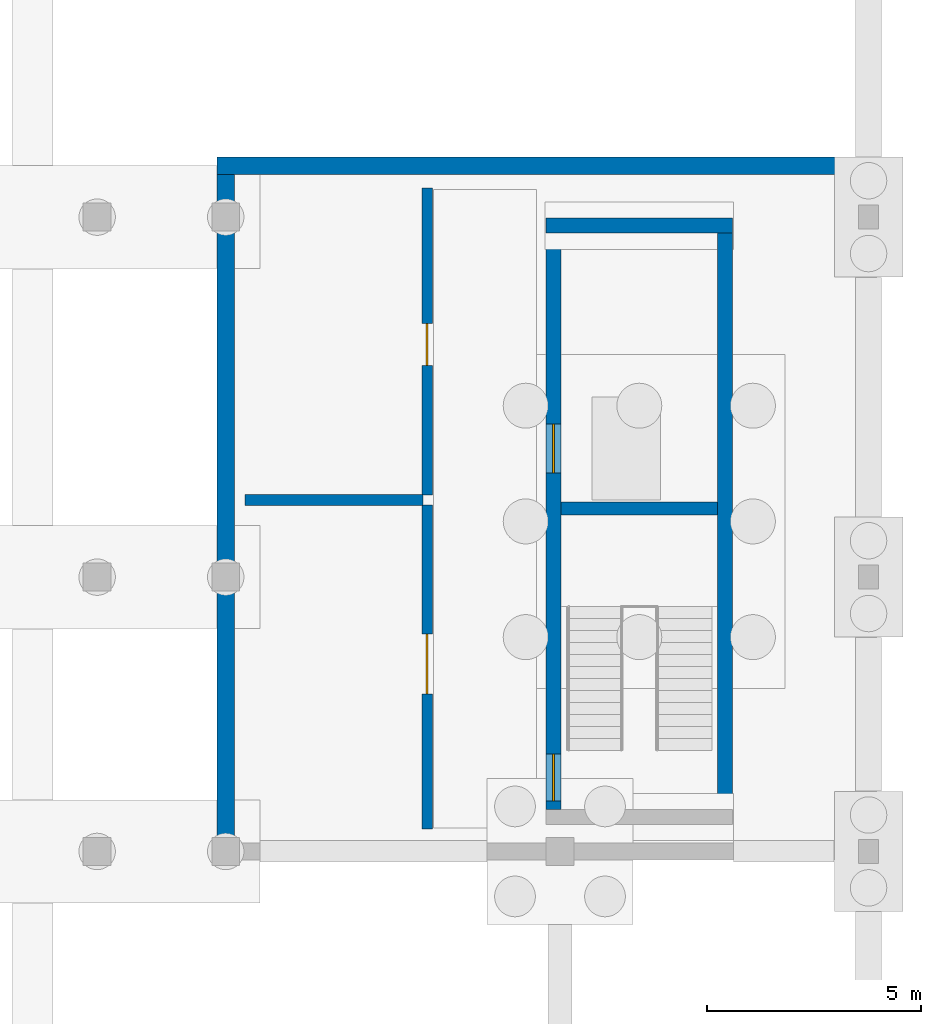
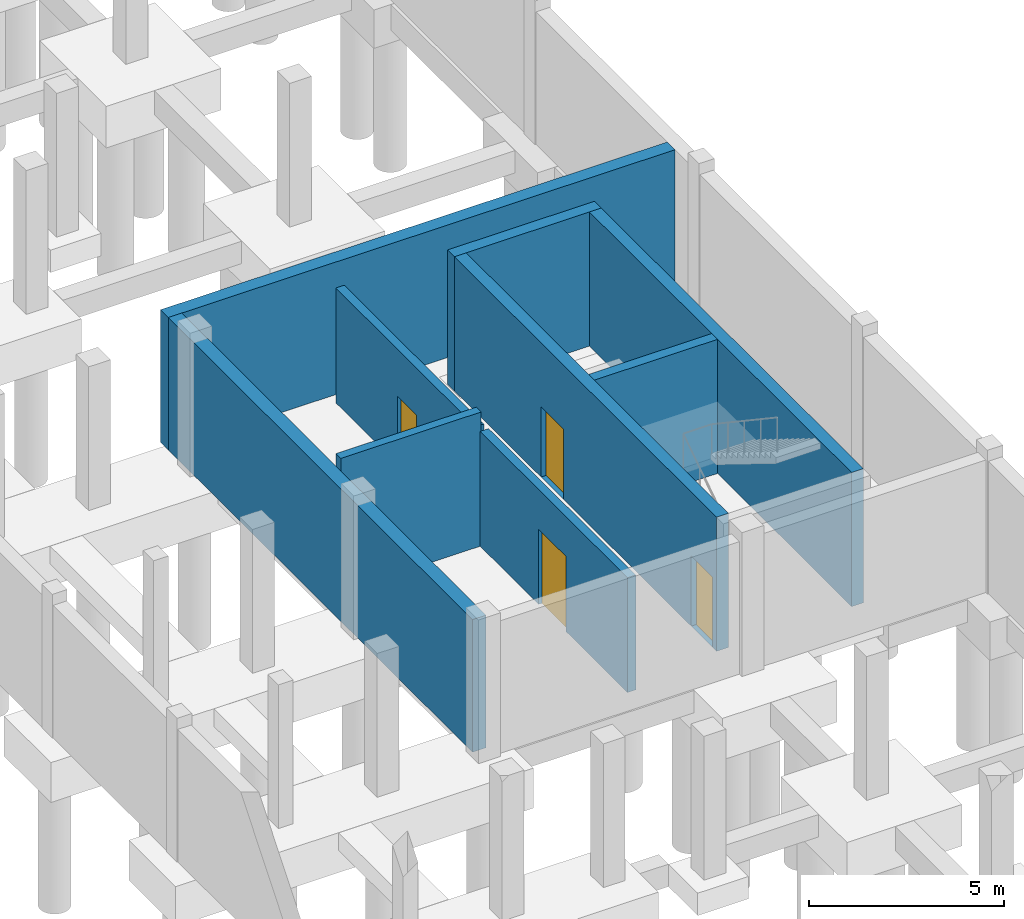
# One storey, part 16 of 21: 9 walls, 4 doors, 4 openings.
"""IFC4 building model written with IfcOpenShell, lengths in metres."""

from ifc_helpers import new_model, si_unit, derived_unit, direction, frame, frame_2d, origin, origin_with_axes, place, context, subcontext, project, spatial, rectangle, extrude, material, layer, layer_set, type_object, element, fill, save


model = new_model("IFC4")

# Units and contexts
model_context = context("Model", 3, precision=1e-05, world=origin(), true_north=direction((0.0, 1.0)))
body_context = subcontext(model_context, "Body", "Model", "MODEL_VIEW")
ifc_project = project(units=[si_unit("LENGTHUNIT", "METRE"), si_unit("AREAUNIT", "SQUARE_METRE"), si_unit("VOLUMEUNIT", "CUBIC_METRE"), si_unit("PLANEANGLEUNIT", "RADIAN"), si_unit("MASSUNIT", "GRAM", prefix="KILO"), derived_unit("THERMALTRANSMITTANCEUNIT", [(si_unit("POWERUNIT", "WATT"), 1), (si_unit("LENGTHUNIT", "METRE"), -2), (si_unit("THERMODYNAMICTEMPERATUREUNIT", "KELVIN"), -1)])], contexts=[model_context])

# Site, building, storey
site_placement = place(None, origin())
site = spatial("IfcSite", under=ifc_project, at=site_placement, CompositionType="ELEMENT")
building_placement = place(site_placement, origin())
building = spatial("IfcBuilding", under=site, at=building_placement, Name="Braskholm Square Health Centre", CompositionType="ELEMENT")
storey_placement = place(building_placement, frame((0.0, 0.0, -4.5)))
storey = spatial("IfcBuildingStorey", under=building, at=storey_placement, Name="B01", CompositionType="ELEMENT", Elevation=-4.5)

# Walls
ifc_material_1 = material(Name="Concrete C35/45 (f'c = 35 MPa)", Category="concrete")
ifc_layer_1 = layer(ifc_material_1, 0.39990234375)
ifc_layer_set_1 = layer_set([ifc_layer_1], Name="Concrete C35/45 (f'c = 35 MPa)")
wall_type_1 = type_object("IfcWallType", Name="BasementRetainingWall400", PredefinedType="SHEAR", material=ifc_layer_set_1)
wall_1_placement = place(storey_placement, frame((148.800048828125, 64.800048828125, 0.0), z_axis=(0.0, 0.0, 1.0), x_axis=(0.0, -1.0, 0.0)))
element("IfcWall", 1, at=wall_1_placement, inside=storey, type_object=wall_type_1, Name="Substructure perimeter retaining wall BW-B01E-W", PredefinedType="SHEAR", context=body_context, shape_type="SweptSolid", body=[
    extrude(rectangle(XDim=15.60009765625, YDim=0.39990234375, at=frame_2d((7.800048828125, 0.0))), origin(), (0.0, 0.0, 1.0), 4.14990234375),
])
wall_2_placement = place(storey_placement, frame((163.60009765625, 65.0, 0.0), z_axis=(0.0, 0.0, 1.0), x_axis=(-1.0, 0.0, 0.0)))
element("IfcWall", 2, at=wall_2_placement, inside=storey, type_object=wall_type_1, Name="Substructure perimeter retaining wall BW-B01E-N", PredefinedType="SHEAR", context=body_context, shape_type="SweptSolid", body=[
    extrude(rectangle(XDim=15.0, YDim=0.39990234375, at=frame_2d((7.5, 0.0))), origin(), (0.0, 0.0, 1.0), 4.14990234375),
])

# Wall, opening, door
ifc_layer_2 = layer(ifc_material_1, 0.25)
ifc_layer_set_2 = layer_set([ifc_layer_2], Name="Concrete C35/45 (f'c = 35 MPa)")
wall_type_2 = type_object("IfcWallType", Name="FireBarrierWall250", PredefinedType="SOLIDWALL", material=ifc_layer_set_2)
wall_3_placement = place(storey_placement, frame((153.5, 49.52001953125, 0.0), z_axis=(0.0, 0.0, 1.0), x_axis=(0.0, 1.0, 0.0)))
wall_3 = element("IfcWall", 3, at=wall_3_placement, inside=storey, type_object=wall_type_2, Name="Interior partition PWALL-B01-0013", PredefinedType="SOLIDWALL", context=body_context, shape_type="SweptSolid", body=[
    extrude(rectangle(XDim=7.56005859375, YDim=0.25, at=frame_2d((3.780029296875, 0.0))), origin(), (0.0, 0.0, 1.0), 3.594970703125),
])
opening_1_placement = place(wall_3_placement, frame((3.156005859375, 0.0, 0.0)))
opening_1 = element("IfcOpeningElement", 4, at=opening_1_placement, cuts=wall_3, Name="Opening D-23", PredefinedType="OPENING", context=body_context, shape_type="SweptSolid", body=[
    extrude(rectangle(XDim=1.39990234375, YDim=2.35009765625, at=frame_2d((0.699951171875, 1.175048828125))), frame((0.0, 0.135009765625, 0.0), z_axis=(0.0, -1.0, 0.0), x_axis=(1.0, 0.0, 0.0)), (0.0, 0.0, 1.0), 0.27001953125),
])
ifc_material_2 = material(Name="Architectural bronze anodised aluminium", Category="aluminium")
door_type_1 = type_object("IfcDoorType", Name="DoorPlantFire1400x2350", OperationType="DOUBLE_DOOR_SINGLE_SWING", PredefinedType="DOOR", material=ifc_material_2)
door_1_placement = place(opening_1_placement, frame((1.39990234375, 0.0, 0.0), z_axis=(0.0, 0.0, 1.0), x_axis=(-1.0, 0.0, 0.0)))
door_1 = element("IfcDoor", 5, at=door_1_placement, inside=storey, type_object=door_type_1, Name="Interior door 0008 B01", OperationType="DOUBLE_DOOR_SINGLE_SWING", OverallHeight=2.35009765625, OverallWidth=1.39990234375, PredefinedType="DOOR", context=body_context, shape_type="SweptSolid", body=[
    extrude(rectangle(XDim=1.39990234375, YDim=2.35009765625, at=frame_2d((0.699951171875, 1.175048828125))), frame((0.0, 0.02490234375, 0.0), z_axis=(0.0, -1.0, 0.0), x_axis=(1.0, 0.0, 0.0)), (0.0, 0.0, 1.0), 0.050048828125),
])
fill(opening_1, door_1)

# Wall
wall_4_placement = place(storey_placement, frame((149.25, 57.199951171875, 0.0), z_axis=(0.0, 0.0, 1.0), x_axis=(1.0, 0.0, 0.0)))
element("IfcWall", 6, at=wall_4_placement, inside=storey, type_object=wall_type_2, Name="Interior partition PWALL-B01-0014", PredefinedType="SOLIDWALL", context=body_context, shape_type="SweptSolid", body=[
    extrude(rectangle(XDim=4.14990234375, YDim=0.25, at=frame_2d((2.074951171875, 0.0))), origin(), (0.0, 0.0, 1.0), 4.195068359375),
])

# Wall, opening, door
wall_5_placement = place(storey_placement, frame((153.5, 57.320068359375, 0.0), z_axis=(0.0, 0.0, 1.0), x_axis=(0.0, 1.0, 0.0)))
wall_5 = element("IfcWall", 7, at=wall_5_placement, inside=storey, type_object=wall_type_2, Name="Interior partition PWALL-B01-0015", PredefinedType="SOLIDWALL", context=body_context, shape_type="SweptSolid", body=[
    extrude(rectangle(XDim=7.159912109375, YDim=0.25, at=frame_2d((3.580078125, 0.0))), origin(), (0.0, 0.0, 1.0), 3.594970703125),
])
opening_2_placement = place(wall_5_placement, frame((3.013916015625, 0.0, 0.0)))
opening_2 = element("IfcOpeningElement", 8, at=opening_2_placement, cuts=wall_5, Name="Opening D-10", PredefinedType="OPENING", context=body_context, shape_type="SweptSolid", body=[
    extrude(rectangle(XDim=0.97998046875, YDim=2.1201171875, at=frame_2d((0.489990234375, 1.06005859375))), frame((0.0, 0.135009765625, 0.0), z_axis=(0.0, -1.0, 0.0), x_axis=(1.0, 0.0, 0.0)), (0.0, 0.0, 1.0), 0.27001953125),
])
door_type_2 = type_object("IfcDoorType", Name="DoorUtilityStore980x2120", OperationType="NOTDEFINED", PredefinedType="DOOR", material=ifc_material_2)
door_2_placement = place(opening_2_placement, frame((0.97998046875, 0.0, 0.0), z_axis=(0.0, 0.0, 1.0), x_axis=(-1.0, 0.0, 0.0)))
door_2 = element("IfcDoor", 9, at=door_2_placement, inside=storey, type_object=door_type_2, Name="Interior door 0009 B01", OperationType="SINGLE_SWING_RIGHT", OverallHeight=2.1201171875, OverallWidth=0.97998046875, PredefinedType="DOOR", context=body_context, shape_type="SweptSolid", body=[
    extrude(rectangle(XDim=0.97998046875, YDim=2.1201171875, at=frame_2d((0.489990234375, 1.06005859375))), frame((0.0, 0.02490234375, 0.0), z_axis=(0.0, -1.0, 0.0), x_axis=(1.0, 0.0, 0.0)), (0.0, 0.0, 1.0), 0.050048828125),
])
fill(opening_2, door_2)

# Walls
ifc_material_3 = material(Name="Concrete C40/50 (f'c = 40 MPa)", Category="concrete")
ifc_layer_3 = layer(ifc_material_3, 0.300048828125)
ifc_layer_set_3 = layer_set([ifc_layer_3], Name="Concrete C40/50 (f'c = 40 MPa)")
wall_type_3 = type_object("IfcWallType", Name="ShearCoreWall300", PredefinedType="SHEAR", material=ifc_layer_set_3)
wall_6_placement = place(storey_placement, frame((156.625, 57.0, 0.0), z_axis=(0.0, 0.0, 1.0), x_axis=(1.0, 0.0, 0.0)))
element("IfcWall", 10, at=wall_6_placement, inside=storey, type_object=wall_type_3, Name="Core K4 internal shear divider B01", PredefinedType="SHEAR", context=body_context, shape_type="SweptSolid", body=[
    extrude(rectangle(XDim=3.64990234375, YDim=0.300048828125, at=frame_2d((1.824951171875, 0.0))), origin(), (0.0, 0.0, 1.0), 4.199951171875),
])
ifc_layer_4 = layer(ifc_material_3, 0.35009765625)
ifc_layer_set_4 = layer_set([ifc_layer_4], Name="Concrete C40/50 (f'c = 40 MPa)")
wall_type_4 = type_object("IfcWallType", Name="ShearCoreWall350", PredefinedType="SHEAR", material=ifc_layer_set_4)
wall_7_placement = place(storey_placement, frame((160.625, 63.60009765625, 0.0), z_axis=(0.0, 0.0, 1.0), x_axis=(-1.0, 0.0, 0.0)))
element("IfcWall", 11, at=wall_7_placement, inside=storey, type_object=wall_type_4, Name="CWALL-K4-B01 north wall", PredefinedType="SHEAR", context=body_context, shape_type="SweptSolid", body=[
    extrude(rectangle(XDim=4.35009765625, YDim=0.35009765625, at=frame_2d((2.175048828125, 0.0))), origin(), (0.0, 0.0, 1.0), 4.199951171875),
])

# Wall, openings, doors
wall_8_placement = place(storey_placement, frame((156.449951171875, 63.425048828125, 0.0), z_axis=(0.0, 0.0, 1.0), x_axis=(0.0, -1.0, 0.0)))
wall_8 = element("IfcWall", 12, at=wall_8_placement, inside=storey, type_object=wall_type_4, Name="CWALL-K4-B01 west wall", PredefinedType="SHEAR", context=body_context, shape_type="SweptSolid", body=[
    extrude(rectangle(XDim=13.449951171875, YDim=0.35009765625, at=frame_2d((6.72509765625, 0.0))), origin(), (0.0, 0.0, 1.0), 4.199951171875),
])
opening_3_placement = place(wall_8_placement, frame((12.14990234375, 0.0, 0.0)))
opening_3 = element("IfcOpeningElement", 13, at=opening_3_placement, cuts=wall_8, Name="Opening D-22", PredefinedType="OPENING", context=body_context, shape_type="SweptSolid", body=[
    extrude(rectangle(XDim=1.10009765625, YDim=2.199951171875, at=frame_2d((0.550048828125, 1.10009765625))), frame((0.0, 0.18505859375, 0.0), z_axis=(0.0, -1.0, 0.0), x_axis=(1.0, 0.0, 0.0)), (0.0, 0.0, 1.0), 0.3701171875),
])
opening_4_placement = place(wall_8_placement, frame((4.449951171875, 0.0, 0.0)))
opening_4 = element("IfcOpeningElement", 14, at=opening_4_placement, cuts=wall_8, Name="Opening LD-1", PredefinedType="OPENING", context=body_context, shape_type="SweptSolid", body=[
    extrude(rectangle(XDim=1.14990234375, YDim=2.199951171875, at=frame_2d((0.574951171875, 1.10009765625))), frame((0.0, 0.18505859375, 0.0), z_axis=(0.0, -1.0, 0.0), x_axis=(1.0, 0.0, 0.0)), (0.0, 0.0, 1.0), 0.3701171875),
])
door_type_3 = type_object("IfcDoorType", Name="DoorLiftLandingStretcher1150x2200", OperationType="SLIDING_TO_LEFT", PredefinedType="DOOR", material=ifc_material_2)
door_3_placement = place(opening_4_placement, origin_with_axes())
door_3 = element("IfcDoor", 15, at=door_3_placement, inside=storey, type_object=door_type_3, Name="Elevator EL-02 sliding landing door B01", OperationType="SLIDING_TO_LEFT", OverallHeight=2.199951171875, OverallWidth=1.14990234375, PredefinedType="DOOR", context=body_context, shape_type="SweptSolid", body=[
    extrude(rectangle(XDim=1.14990234375, YDim=2.199951171875, at=frame_2d((0.574951171875, 1.10009765625))), frame((0.0, 0.02490234375, 0.0), z_axis=(0.0, -1.0, 0.0), x_axis=(1.0, 0.0, 0.0)), (0.0, 0.0, 1.0), 0.050048828125),
])
fill(opening_4, door_3)
door_type_4 = type_object("IfcDoorType", Name="DoorStairEnclosure1100x2200", OperationType="NOTDEFINED", PredefinedType="DOOR", material=ifc_material_2)
door_4_placement = place(opening_3_placement, origin_with_axes())
door_4 = element("IfcDoor", 16, at=door_4_placement, inside=storey, type_object=door_type_4, Name="Stair ST-04 door B01", OperationType="SINGLE_SWING_LEFT", OverallHeight=2.199951171875, OverallWidth=1.10009765625, PredefinedType="DOOR", context=body_context, shape_type="SweptSolid", body=[
    extrude(rectangle(XDim=1.10009765625, YDim=2.199951171875, at=frame_2d((0.550048828125, 1.10009765625))), frame((0.0, 0.02490234375, 0.0), z_axis=(0.0, -1.0, 0.0), x_axis=(1.0, 0.0, 0.0)), (0.0, 0.0, 1.0), 0.050048828125),
])
fill(opening_3, door_4)

# Wall
wall_9_placement = place(storey_placement, frame((160.449951171875, 49.97509765625, 0.0), z_axis=(0.0, 0.0, 1.0), x_axis=(0.0, 1.0, 0.0)))
element("IfcWall", 17, at=wall_9_placement, inside=storey, type_object=wall_type_4, Name="CWALL-K4-B01 east wall", PredefinedType="SHEAR", context=body_context, shape_type="SweptSolid", body=[
    extrude(rectangle(XDim=13.449951171875, YDim=0.35009765625, at=frame_2d((6.72509765625, 0.0))), origin(), (0.0, 0.0, 1.0), 4.199951171875),
])

save(model, "model.ifc")
